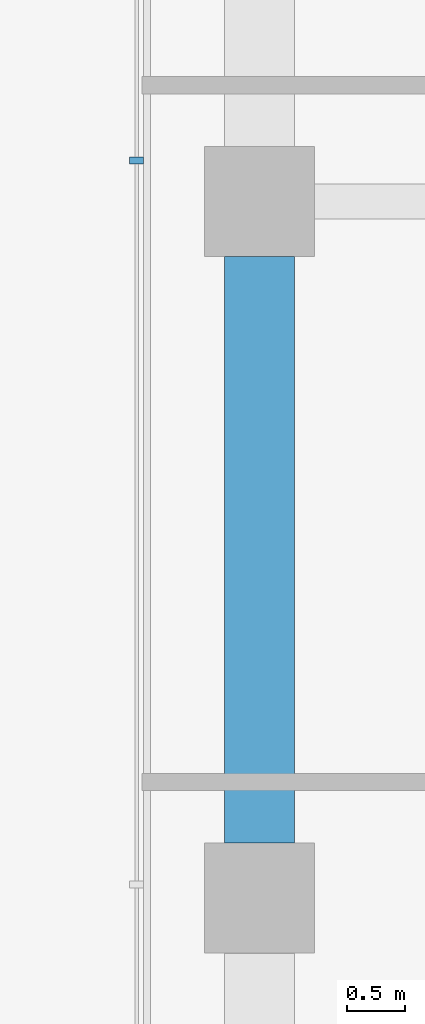
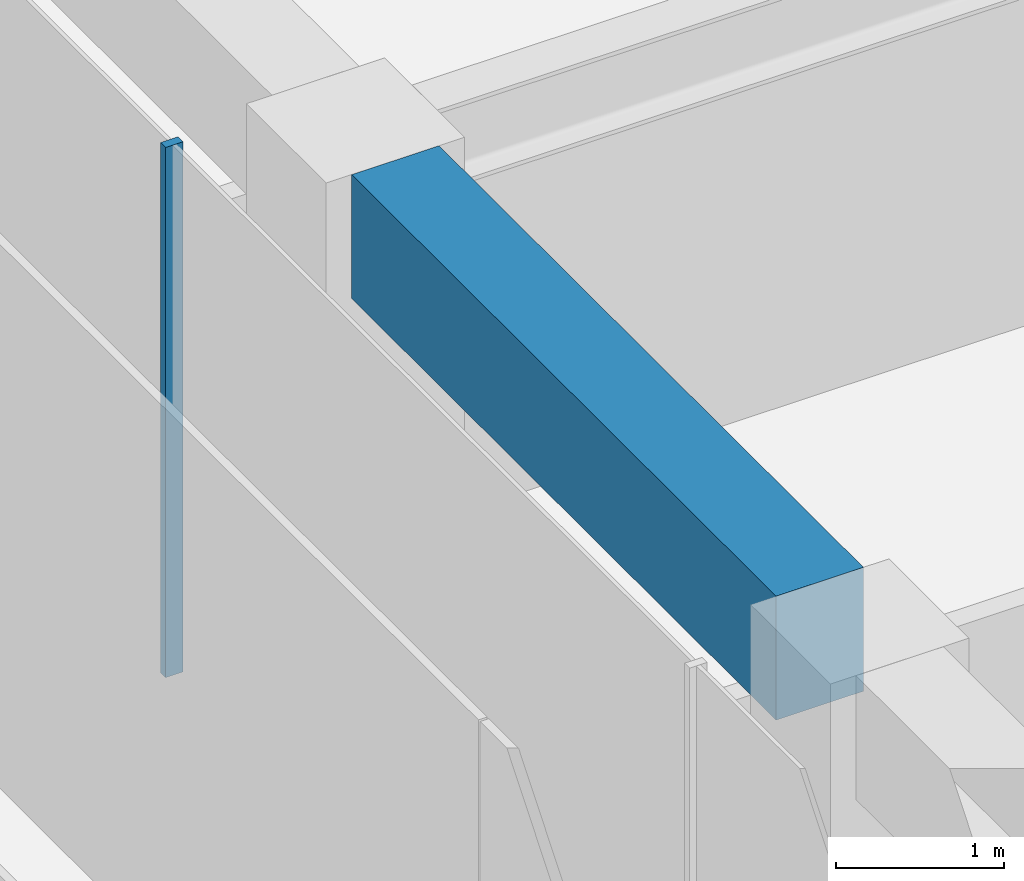
# One storey, part 14 of 31: 1 beam, 1 member, 1 element without a shape of its own.
"""IFC4 building model written with IfcOpenShell, lengths in metres."""

from ifc_helpers import new_model, si_unit, direction, frame, origin, origin_2d, place, context, subcontext, project, spatial, rectangle, extrude, material, layer, layer_set, material_profile, profile_set, type_object, element, aggregate, save


model = new_model("IFC4")

# Units and contexts
model_context = context("Model", 3, precision=1e-05, world=origin(), true_north=direction((0.0, 1.0)))
body_context = subcontext(model_context, "Body", "Model", "MODEL_VIEW")
ifc_project = project(units=[si_unit("LENGTHUNIT", "METRE"), si_unit("AREAUNIT", "SQUARE_METRE"), si_unit("VOLUMEUNIT", "CUBIC_METRE"), si_unit("PLANEANGLEUNIT", "RADIAN"), si_unit("MASSUNIT", "GRAM", prefix="KILO")], contexts=[model_context])

# Site, building, storey
site_placement = place(None, origin())
site = spatial("IfcSite", under=ifc_project, at=site_placement, CompositionType="ELEMENT")
building_placement = place(site_placement, origin())
building = spatial("IfcBuilding", under=site, at=building_placement, Name="Welwitschia Terrace Campus", CompositionType="ELEMENT")
storey_placement = place(building_placement, frame((0.0, 0.0, 29.0)))
storey = spatial("IfcBuildingStorey", under=building, at=storey_placement, Name="L06", CompositionType="ELEMENT", Elevation=29.0)

# Curtain wall, member
ifc_material_1 = material(Name="Bronze anodised aluminium", Category="aluminium")
ifc_layer = layer(ifc_material_1, 0.1201171875)
ifc_layer_set = layer_set([ifc_layer], Name="Bronze anodised aluminium")
curtain_wall_type = type_object("IfcCurtainWallType", Name="Curtain wall CW2 tower 6000", PredefinedType="NOTDEFINED", material=ifc_layer_set)
curtain_wall_placement = place(storey_placement, origin())
curtain_wall = element("IfcCurtainWall", 1, at=curtain_wall_placement, inside=storey, type_object=curtain_wall_type, Name="CW L06.16.0", PredefinedType="NOTDEFINED")
ifc_material_2 = material(Name="Bronze anodised aluminium", Category="aluminium")
ifc_material_profile_1 = material_profile(ifc_material_2, rectangle(XDim=0.1201171875, YDim=0.06005859375, at=origin_2d()))
ifc_profile_set_1 = profile_set([ifc_material_profile_1], Name="Bronze anodised aluminium")
member_type = type_object("IfcMemberType", Name="Mullion 60x120", PredefinedType="MULLION", material=ifc_profile_set_1)
member_placement = place(storey_placement, frame((-1.05810546875, 44.351806640625, 0.0), z_axis=(0.0, 0.0, 1.0), x_axis=(1.0, 0.0, 0.0)))
member = element("IfcMember", 2, at=member_placement, type_object=member_type, Name="Mullion L06.16.0.3", PredefinedType="MULLION", context=body_context, shape_type="SweptSolid", body=[
    extrude(rectangle(XDim=0.1201171875, YDim=0.06005859375, at=origin_2d()), origin(), (0.0, 0.0, 1.0), 3.85009765625),
])
aggregate(curtain_wall, [member])

# Beam
ifc_material_3 = material(Name="Concrete C60/75", Category="concrete")
ifc_material_profile_2 = material_profile(ifc_material_3, rectangle(XDim=0.60009765625, YDim=0.89990234375, at=origin_2d()))
ifc_profile_set_2 = profile_set([ifc_material_profile_2], Name="Concrete C60/75")
beam_type = type_object("IfcBeamType", Name="Ring spandrel 600x900", PredefinedType="SPANDREL", material=ifc_profile_set_2)
beam_placement = place(storey_placement, frame((0.0, 43.5244140625, 3.39990234375), z_axis=(0.0, -1.0, 0.0), x_axis=(1.0, 0.0, 0.0)))
element("IfcBeam", 3, at=beam_placement, inside=storey, type_object=beam_type, Name="Spandrel SP2", PredefinedType="SPANDREL", context=body_context, shape_type="SweptSolid", body=[
    extrude(rectangle(XDim=0.60009765625, YDim=0.89990234375, at=origin_2d()), origin(), (0.0, 0.0, 1.0), 5.048828125),
])

save(model, "model.ifc")
